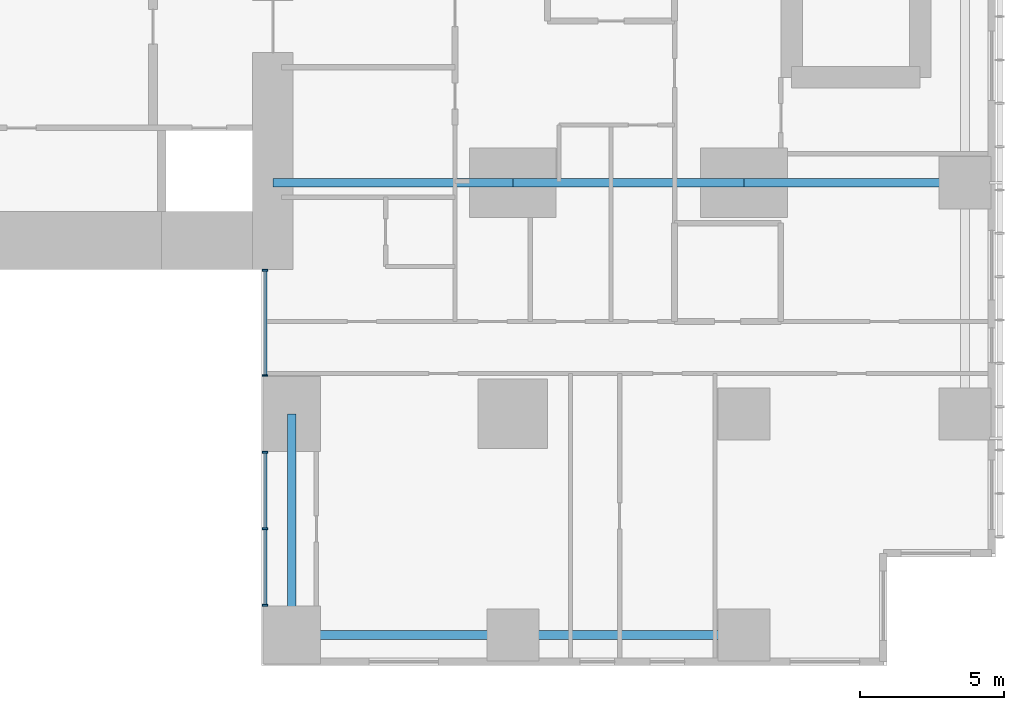
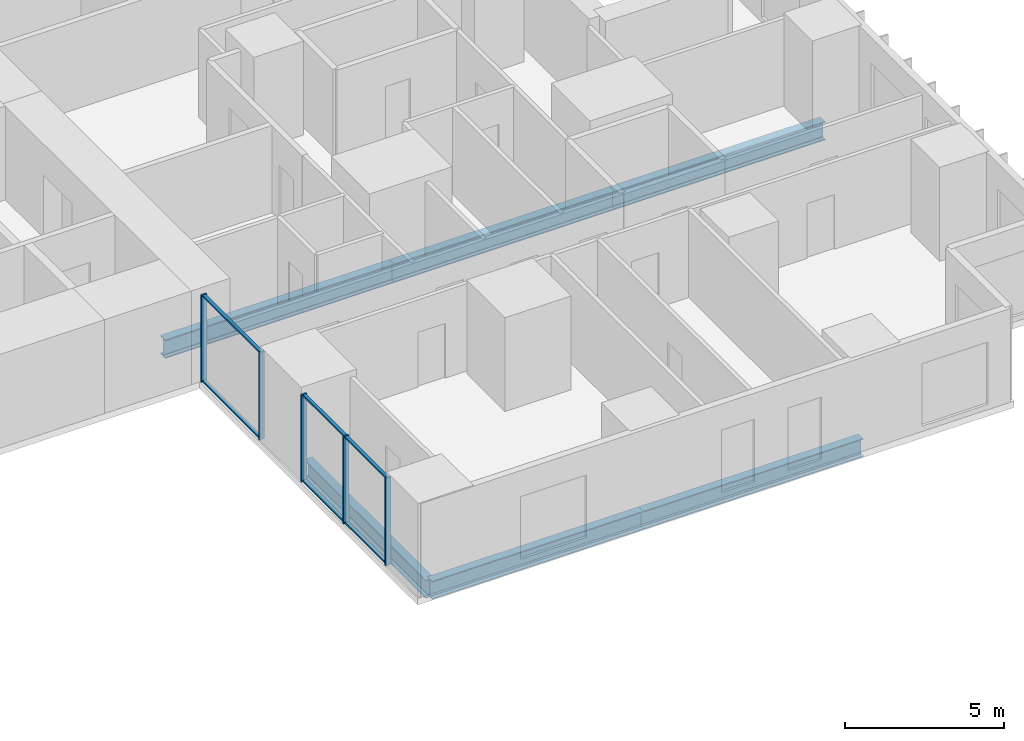
# One storey, part 3 of 20: 11 members, 6 beams, 2 elements without a shape of their own.
"""IFC4 building model written with IfcOpenShell, lengths in metres."""

from ifc_helpers import new_model, si_unit, direction, frame, origin, origin_2d, place, context, subcontext, project, spatial, rectangle, i_section, extrude, material, layer, layer_set, material_profile, profile_set, type_object, element, aggregate, save


model = new_model("IFC4")

# Units and contexts
model_context = context("Model", 3, precision=1e-05, world=origin(), true_north=direction((0.0, 1.0)))
body_context = subcontext(model_context, "Body", "Model", "MODEL_VIEW")
ifc_project = project(units=[si_unit("LENGTHUNIT", "METRE"), si_unit("AREAUNIT", "SQUARE_METRE"), si_unit("VOLUMEUNIT", "CUBIC_METRE"), si_unit("PLANEANGLEUNIT", "RADIAN"), si_unit("MASSUNIT", "GRAM", prefix="KILO")], contexts=[model_context])

# Site, building, storey
site_placement = place(None, origin())
site = spatial("IfcSite", under=ifc_project, at=site_placement, CompositionType="ELEMENT")
building_placement = place(site_placement, origin())
building = spatial("IfcBuilding", under=site, at=building_placement, Name="Cleftline Residences", CompositionType="ELEMENT")
storey_placement = place(building_placement, frame((0.0, 0.0, 185.800048828125)))
storey = spatial("IfcBuildingStorey", under=building, at=storey_placement, Name="L48", CompositionType="ELEMENT", Elevation=185.800048828125)

# Beams
ifc_material_1 = material(Name="Steel S355", Category="steel")
ifc_material_profile_1 = material_profile(ifc_material_1, i_section(OverallWidth=0.300048828125, OverallDepth=0.699951171875, WebThickness=0.01708984375, FlangeThickness=0.031982421875, FilletRadius=0.027099609375, at=origin_2d()))
ifc_profile_set_1 = profile_set([ifc_material_profile_1], Name="Steel S355")
beam_type_1 = type_object("IfcBeamType", Name="BEAM HEB 700", PredefinedType="BEAM", material=ifc_profile_set_1)
beam_1_placement = place(storey_placement, frame((58.0, 0.35009765625, -0.60009765625), z_axis=(-1.0, 0.0, 0.0), x_axis=(0.0, -1.0, 0.0)))
element("IfcBeam", 1, at=beam_1_placement, inside=storey, type_object=beam_type_1, Name="Edge beam", PredefinedType="BEAM", context=body_context, shape_type="SweptSolid", body=[
    extrude(i_section(OverallWidth=0.300048828125, OverallDepth=0.699951171875, WebThickness=0.01708984375, FlangeThickness=0.031982421875, FilletRadius=0.027099609375, at=origin_2d()), origin(), (0.0, 0.0, 1.0), 8.0),
])
for number, where, z_axis, x_axis, name in (
    (2, (50.0, 0.35009765625, -0.60009765625), (-1.0, 0.0, 0.0), (0.0, -1.0, 0.0), "Edge beam"),
    (3, (42.35009765625, 0.35009765625, -0.60009765625), (0.0, 1.0, 0.0), (-1.0, 0.0, 0.0), "Edge beam"),
):
    element("IfcBeam", number, at=place(storey_placement, frame(where, z_axis=z_axis, x_axis=x_axis)), inside=storey, type_object=beam_type_1, Name=name, PredefinedType="BEAM", context=body_context, shape_type="SweptSolid", body=[
        extrude(i_section(OverallWidth=0.300048828125, OverallDepth=0.699951171875, WebThickness=0.01708984375, FlangeThickness=0.031982421875, FilletRadius=0.027099609375, at=origin_2d()), origin(), (0.0, 0.0, 1.0), 7.64990234375),
    ])
ifc_material_2 = material(Name="Steel S355", Category="steel")
ifc_material_profile_2 = material_profile(ifc_material_2, i_section(OverallWidth=0.303955078125, OverallDepth=0.716064453125, WebThickness=0.02099609375, FlangeThickness=0.0400390625, FilletRadius=0.027099609375, at=origin_2d()))
ifc_profile_set_2 = profile_set([ifc_material_profile_2], Name="Steel S355")
beam_type_2 = type_object("IfcBeamType", Name="BEAM HEM 700", PredefinedType="BEAM", material=ifc_profile_set_2)
beam_2_placement = place(storey_placement, frame((65.64990234375, 16.0, -0.608154296875), z_axis=(-1.0, 0.0, 0.0), x_axis=(0.0, -1.0, 0.0)))
element("IfcBeam", 4, at=beam_2_placement, inside=storey, type_object=beam_type_2, Name="Band beam", PredefinedType="BEAM", context=body_context, shape_type="SweptSolid", body=[
    extrude(i_section(OverallWidth=0.303955078125, OverallDepth=0.716064453125, WebThickness=0.02099609375, FlangeThickness=0.0400390625, FilletRadius=0.027099609375, at=origin_2d()), origin(), (0.0, 0.0, 1.0), 7.64990234375),
])
beam_3_placement = place(storey_placement, frame((58.0, 16.0, -0.608154296875), z_axis=(-1.0, 0.0, 0.0), x_axis=(0.0, -1.0, 0.0)))
element("IfcBeam", 5, at=beam_3_placement, inside=storey, type_object=beam_type_2, Name="Band beam", PredefinedType="BEAM", context=body_context, shape_type="SweptSolid", body=[
    extrude(i_section(OverallWidth=0.303955078125, OverallDepth=0.716064453125, WebThickness=0.02099609375, FlangeThickness=0.0400390625, FilletRadius=0.027099609375, at=origin_2d()), origin(), (0.0, 0.0, 1.0), 8.0),
])
beam_4_placement = place(storey_placement, frame((50.0, 16.0, -0.608154296875), z_axis=(-1.0, 0.0, 0.0), x_axis=(0.0, -1.0, 0.0)))
element("IfcBeam", 6, at=beam_4_placement, inside=storey, type_object=beam_type_2, Name="Band beam", PredefinedType="BEAM", context=body_context, shape_type="SweptSolid", body=[
    extrude(i_section(OverallWidth=0.303955078125, OverallDepth=0.716064453125, WebThickness=0.02099609375, FlangeThickness=0.0400390625, FilletRadius=0.027099609375, at=origin_2d()), origin(), (0.0, 0.0, 1.0), 8.300048828125),
])

# Curtain wall, members
ifc_material_3 = material(Name="Aluminium framed curtain wall", Category="aluminium")
ifc_layer = layer(ifc_material_3, 0.199951171875)
ifc_layer_set = layer_set([ifc_layer], Name="CW1 CLEFT GLAZING")
curtain_wall_type = type_object("IfcCurtainWallType", Name="CW1 CLEFT GLAZING", PredefinedType="NOTDEFINED", material=ifc_layer_set)
curtain_wall_1_placement = place(storey_placement, origin())
curtain_wall_1 = element("IfcCurtainWall", 7, at=curtain_wall_1_placement, inside=storey, type_object=curtain_wall_type, Name="Curtain wall CW1", PredefinedType="NOTDEFINED")
ifc_material_4 = material(Name="Aluminium mullion", Category="aluminium")
ifc_material_profile_3 = material_profile(ifc_material_4, rectangle(XDim=0.199951171875, YDim=0.06005859375, at=origin_2d()))
ifc_profile_set_3 = profile_set([ifc_material_profile_3], Name="Aluminium mullion")
member_type_1 = type_object("IfcMemberType", Name="CW1 MULLION", PredefinedType="MULLION", material=ifc_profile_set_3)
member_1_placement = place(storey_placement, frame((41.425048828125, 12.969970703125, 0.0), z_axis=(0.0, 0.0, 1.0), x_axis=(1.0, 0.0, 0.0)))
member_1 = element("IfcMember", 8, at=member_1_placement, type_object=member_type_1, Name="CW1 mullion 1", PredefinedType="MULLION", context=body_context, shape_type="SweptSolid", body=[
    extrude(rectangle(XDim=0.199951171875, YDim=0.06005859375, at=origin_2d()), origin(), (0.0, 0.0, 1.0), 3.349853515625),
])
member_2_placement = place(storey_placement, frame((41.425048828125, 9.330078125, 0.0), z_axis=(0.0, 0.0, 1.0), x_axis=(1.0, 0.0, 0.0)))
member_2 = element("IfcMember", 9, at=member_2_placement, type_object=member_type_1, Name="CW1 mullion 2", PredefinedType="MULLION", context=body_context, shape_type="SweptSolid", body=[
    extrude(rectangle(XDim=0.199951171875, YDim=0.06005859375, at=origin_2d()), origin(), (0.0, 0.0, 1.0), 3.349853515625),
])

curtain_wall_2_placement = place(storey_placement, origin())
curtain_wall_2 = element("IfcCurtainWall", 10, at=curtain_wall_2_placement, inside=storey, type_object=curtain_wall_type, Name="Curtain wall CW1", PredefinedType="NOTDEFINED")
member_3_placement = place(storey_placement, frame((41.425048828125, 6.669921875, 0.0), z_axis=(0.0, 0.0, 1.0), x_axis=(1.0, 0.0, 0.0)))
member_3 = element("IfcMember", 11, at=member_3_placement, type_object=member_type_1, Name="CW1 mullion 1", PredefinedType="MULLION", context=body_context, shape_type="SweptSolid", body=[
    extrude(rectangle(XDim=0.199951171875, YDim=0.06005859375, at=origin_2d()), origin(), (0.0, 0.0, 1.0), 3.349853515625),
])
member_4_placement = place(storey_placement, frame((41.425048828125, 4.02490234375, 0.0), z_axis=(0.0, 0.0, 1.0), x_axis=(1.0, 0.0, 0.0)))
member_4 = element("IfcMember", 12, at=member_4_placement, type_object=member_type_1, Name="CW1 mullion 2", PredefinedType="MULLION", context=body_context, shape_type="SweptSolid", body=[
    extrude(rectangle(XDim=0.199951171875, YDim=0.06005859375, at=origin_2d()), origin(), (0.0, 0.0, 1.0), 3.349853515625),
])
member_5_placement = place(storey_placement, frame((41.425048828125, 1.3798828125, 0.0), z_axis=(0.0, 0.0, 1.0), x_axis=(1.0, 0.0, 0.0)))
member_5 = element("IfcMember", 13, at=member_5_placement, type_object=member_type_1, Name="CW1 mullion 3", PredefinedType="MULLION", context=body_context, shape_type="SweptSolid", body=[
    extrude(rectangle(XDim=0.199951171875, YDim=0.06005859375, at=origin_2d()), origin(), (0.0, 0.0, 1.0), 3.349853515625),
])

# Member
ifc_material_5 = material(Name="Aluminium transom", Category="aluminium")
ifc_material_profile_4 = material_profile(ifc_material_5, rectangle(XDim=0.1201171875, YDim=0.06005859375, at=origin_2d()))
ifc_profile_set_4 = profile_set([ifc_material_profile_4], Name="Aluminium transom")
member_type_2 = type_object("IfcMemberType", Name="CW1 TRANSOM", PredefinedType="USERDEFINED", material=ifc_profile_set_4)
member_6_placement = place(storey_placement, frame((41.425048828125, 12.93994140625, 0.030029296875), z_axis=(0.0, -1.0, 0.0), x_axis=(1.0, 0.0, 0.0)))
member_6 = element("IfcMember", 14, at=member_6_placement, type_object=member_type_2, Name="CW1 transom 1.1", ObjectType="TRANSOM", PredefinedType="USERDEFINED", context=body_context, shape_type="SweptSolid", body=[
    extrude(rectangle(XDim=0.1201171875, YDim=0.06005859375, at=origin_2d()), origin(), (0.0, 0.0, 1.0), 3.579833984375),
])

member_7_placement = place(storey_placement, frame((41.425048828125, 12.93994140625, 3.320068359375), z_axis=(0.0, -1.0, 0.0), x_axis=(1.0, 0.0, 0.0)))
member_7 = element("IfcMember", 15, at=member_7_placement, type_object=member_type_2, Name="CW1 transom 1.2", ObjectType="TRANSOM", PredefinedType="USERDEFINED", context=body_context, shape_type="SweptSolid", body=[
    extrude(rectangle(XDim=0.1201171875, YDim=0.06005859375, at=origin_2d()), origin(), (0.0, 0.0, 1.0), 3.579833984375),
])

aggregate(curtain_wall_1, [member_1, member_2, member_6, member_7])

member_8_placement = place(storey_placement, frame((41.425048828125, 6.639892578125, 0.030029296875), z_axis=(0.0, -1.0, 0.0), x_axis=(1.0, 0.0, 0.0)))
member_8 = element("IfcMember", 16, at=member_8_placement, type_object=member_type_2, Name="CW1 transom 1.1", ObjectType="TRANSOM", PredefinedType="USERDEFINED", context=body_context, shape_type="SweptSolid", body=[
    extrude(rectangle(XDim=0.1201171875, YDim=0.06005859375, at=origin_2d()), origin(), (0.0, 0.0, 1.0), 2.5849609375),
])

member_9_placement = place(storey_placement, frame((41.425048828125, 6.639892578125, 3.320068359375), z_axis=(0.0, -1.0, 0.0), x_axis=(1.0, 0.0, 0.0)))
member_9 = element("IfcMember", 17, at=member_9_placement, type_object=member_type_2, Name="CW1 transom 1.2", ObjectType="TRANSOM", PredefinedType="USERDEFINED", context=body_context, shape_type="SweptSolid", body=[
    extrude(rectangle(XDim=0.1201171875, YDim=0.06005859375, at=origin_2d()), origin(), (0.0, 0.0, 1.0), 2.5849609375),
])

member_10_placement = place(storey_placement, frame((41.425048828125, 3.9951171875, 0.030029296875), z_axis=(0.0, -1.0, 0.0), x_axis=(1.0, 0.0, 0.0)))
member_10 = element("IfcMember", 18, at=member_10_placement, type_object=member_type_2, Name="CW1 transom 2.1", ObjectType="TRANSOM", PredefinedType="USERDEFINED", context=body_context, shape_type="SweptSolid", body=[
    extrude(rectangle(XDim=0.1201171875, YDim=0.06005859375, at=origin_2d()), origin(), (0.0, 0.0, 1.0), 2.585205078125),
])

member_11_placement = place(storey_placement, frame((41.425048828125, 3.9951171875, 3.320068359375), z_axis=(0.0, -1.0, 0.0), x_axis=(1.0, 0.0, 0.0)))
member_11 = element("IfcMember", 19, at=member_11_placement, type_object=member_type_2, Name="CW1 transom 2.2", ObjectType="TRANSOM", PredefinedType="USERDEFINED", context=body_context, shape_type="SweptSolid", body=[
    extrude(rectangle(XDim=0.1201171875, YDim=0.06005859375, at=origin_2d()), origin(), (0.0, 0.0, 1.0), 2.585205078125),
])

aggregate(curtain_wall_2, [member_3, member_4, member_5, member_8, member_9, member_10, member_11])

save(model, "model.ifc")
